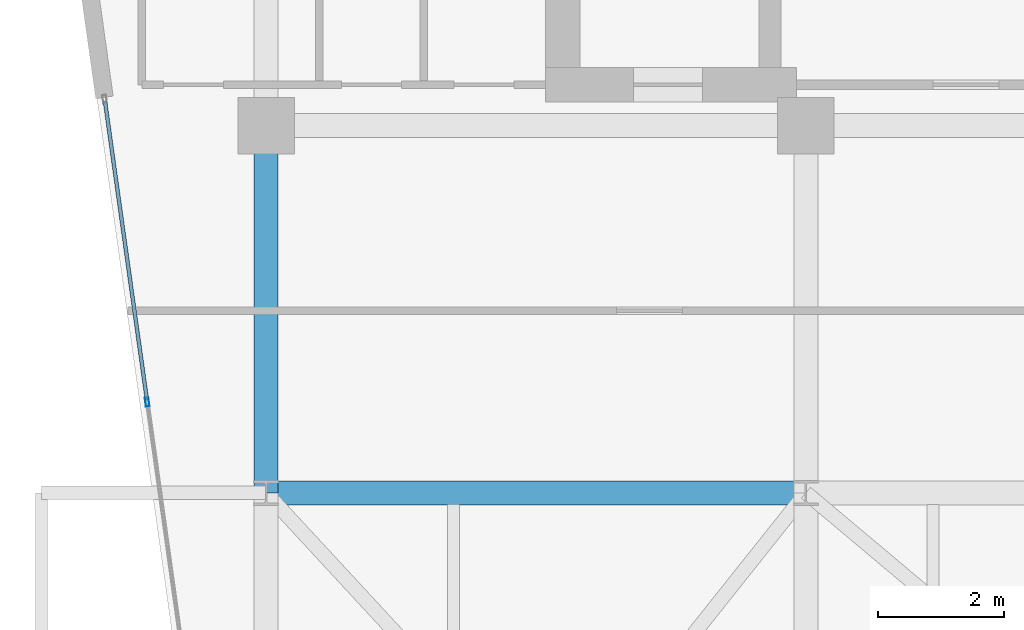
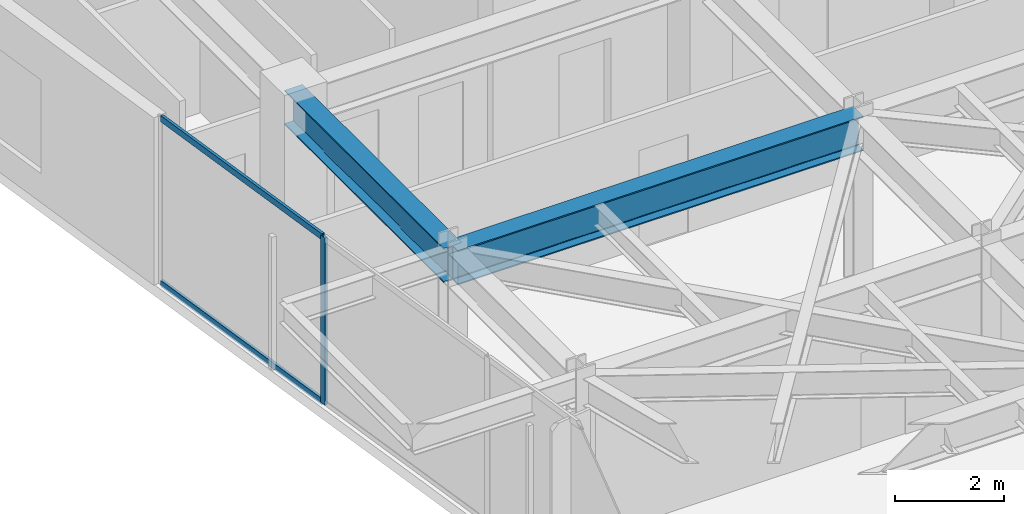
# One storey, part 10 of 26: 3 members, 2 beams, 1 element without a shape of its own.
"""IFC4 building model written with IfcOpenShell, lengths in metres."""

from ifc_helpers import new_model, si_unit, direction, frame, origin, origin_2d, place, context, subcontext, project, spatial, hollow_rectangle, i_section, extrude, material, layer, layer_set, material_profile, profile_set, type_object, element, aggregate, save


model = new_model("IFC4")

# Units and contexts
model_context = context("Model", 3, precision=1e-05, world=origin(), true_north=direction((0.0, 1.0)))
body_context = subcontext(model_context, "Body", "Model", "MODEL_VIEW")
ifc_project = project(units=[si_unit("LENGTHUNIT", "METRE"), si_unit("AREAUNIT", "SQUARE_METRE"), si_unit("VOLUMEUNIT", "CUBIC_METRE"), si_unit("PLANEANGLEUNIT", "RADIAN"), si_unit("MASSUNIT", "GRAM", prefix="KILO")], contexts=[model_context])

# Site, building, storey
site_placement = place(None, origin())
site = spatial("IfcSite", under=ifc_project, at=site_placement, CompositionType="ELEMENT")
building_placement = place(site_placement, origin())
building = spatial("IfcBuilding", under=site, at=building_placement, Name="Kravanh Interchange Tower", CompositionType="ELEMENT")
storey_placement = place(building_placement, frame((0.0, 0.0, 204.5)))
storey = spatial("IfcBuildingStorey", under=building, at=storey_placement, Name="L49", CompositionType="ELEMENT", Elevation=204.5)

# Curtain wall, members
ifc_material_1 = material(Name="Anodised Bronze Aluminium", Category="aluminium")
ifc_layer = layer(ifc_material_1, 0.179931640625)
ifc_layer_set = layer_set([ifc_layer], Name="Unitised Curtain Wall System CW-Z3 Upper Office")
curtain_wall_type = type_object("IfcCurtainWallType", Name="Unitised Curtain Wall System CW-Z3 Upper Office", PredefinedType="NOTDEFINED", material=ifc_layer_set)
curtain_wall_placement = place(storey_placement, origin())
curtain_wall = element("IfcCurtainWall", 1, at=curtain_wall_placement, inside=storey, type_object=curtain_wall_type, Name="L49 Unitised Curtain Wall CW-L49-01", PredefinedType="NOTDEFINED")
ifc_material_2 = material(Name="Anodised Bronze Aluminium", Category="aluminium")
ifc_material_profile_1 = material_profile(ifc_material_2, hollow_rectangle(XDim=0.06005859375, YDim=0.139892578125, WallThickness=0.00390625, at=origin_2d()), Name="ALU60X140X4")
ifc_profile_set_1 = profile_set([ifc_material_profile_1], Name="Anodised Bronze Aluminium")
member_type_1 = type_object("IfcMemberType", Name="Curtain Wall Mullion ALU60X140X4 Bronze", PredefinedType="MULLION", material=ifc_profile_set_1)
member_1_placement = place(storey_placement, frame((16.706787109375, 32.9482421875, 0.0), z_axis=(0.0, 0.0, 1.0), x_axis=(-0.990268194035, -0.139172209446, 0.0)))
member_1 = element("IfcMember", 2, at=member_1_placement, type_object=member_type_1, Name="CW-Z3 mullion 5", PredefinedType="MULLION", context=body_context, shape_type="SweptSolid", body=[
    extrude(hollow_rectangle(XDim=0.06005859375, YDim=0.139892578125, WallThickness=0.00390625, at=origin_2d()), origin(), (0.0, 0.0, 1.0), 3.7548828125),
])
ifc_material_3 = material(Name="Anodised Bronze Aluminium", Category="aluminium")
ifc_material_profile_2 = material_profile(ifc_material_3, hollow_rectangle(XDim=0.06005859375, YDim=0.139892578125, WallThickness=0.00390625, at=origin_2d()), Name="ALU60X140X4")
ifc_profile_set_2 = profile_set([ifc_material_profile_2], Name="Anodised Bronze Aluminium")
member_type_2 = type_object("IfcMemberType", Name="Curtain Wall Transom ALU60X140X4 Bronze", PredefinedType="USERDEFINED", material=ifc_profile_set_2)
member_2_placement = place(storey_placement, frame((16.70263671875, 32.977783203125, 0.030029296875), z_axis=(-0.139139718803, 0.990272759724, 0.0), x_axis=(-0.990272759724, -0.139139718803, 0.0)))
member_2 = element("IfcMember", 3, at=member_2_placement, type_object=member_type_2, Name="CW-Z3 transom 5.1", ObjectType="TRANSOM", PredefinedType="USERDEFINED", context=body_context, shape_type="SweptSolid", body=[
    extrude(hollow_rectangle(XDim=0.06005859375, YDim=0.139892578125, WallThickness=0.00390625, at=origin_2d()), origin(), (0.0, 0.0, 1.0), 4.8095703125),
])
member_3_placement = place(storey_placement, frame((16.70263671875, 32.977783203125, 3.72509765625), z_axis=(-0.139139718803, 0.990272759724, 0.0), x_axis=(-0.990272759724, -0.139139718803, 0.0)))
member_3 = element("IfcMember", 4, at=member_3_placement, type_object=member_type_2, Name="CW-Z3 transom 5.2", ObjectType="TRANSOM", PredefinedType="USERDEFINED", context=body_context, shape_type="SweptSolid", body=[
    extrude(hollow_rectangle(XDim=0.06005859375, YDim=0.139892578125, WallThickness=0.00390625, at=origin_2d()), origin(), (0.0, 0.0, 1.0), 4.8095703125),
])
aggregate(curtain_wall, [member_1, member_2, member_3])

# Beams
ifc_material_4 = material(Name="Structural Steel S355", Category="steel")
ifc_material_profile_3 = material_profile(ifc_material_4, i_section(OverallWidth=0.381103515625, OverallDepth=0.77294921875, WebThickness=0.0166015625, FlangeThickness=0.027099609375, FilletRadius=0.02490234375, at=origin_2d()), Name="W30X173")
ifc_profile_set_3 = profile_set([ifc_material_profile_3], Name="Structural Steel S355")
beam_type = type_object("IfcBeamType", Name="Floor Beam W30X173 Structural Steel S355", PredefinedType="BEAM", material=ifc_profile_set_3)
beam_1_placement = place(storey_placement, frame((18.60009765625, 37.35009765625, 3.368408203125), z_axis=(0.0, -1.0, 0.0), x_axis=(1.0, 0.0, 0.0)))
element("IfcBeam", 5, at=beam_1_placement, inside=storey, type_object=beam_type, Name="L49 Primary Floor Girder 28", PredefinedType="BEAM", context=body_context, shape_type="SweptSolid", body=[
    extrude(i_section(OverallWidth=0.381103515625, OverallDepth=0.77294921875, WebThickness=0.0166015625, FlangeThickness=0.027099609375, FilletRadius=0.02490234375, at=origin_2d()), origin(), (0.0, 0.0, 1.0), 5.85009765625),
])
beam_2_placement = place(storey_placement, frame((18.60009765625, 31.5, 3.368408203125), z_axis=(1.0, 0.0, 0.0), x_axis=(0.0, 1.0, 0.0)))
element("IfcBeam", 6, at=beam_2_placement, inside=storey, type_object=beam_type, Name="L49 Primary Floor Girder 61", PredefinedType="BEAM", context=body_context, shape_type="SweptSolid", body=[
    extrude(i_section(OverallWidth=0.381103515625, OverallDepth=0.77294921875, WebThickness=0.0166015625, FlangeThickness=0.027099609375, FilletRadius=0.02490234375, at=origin_2d()), origin(), (0.0, 0.0, 1.0), 8.599853515625),
])

save(model, "model.ifc")
